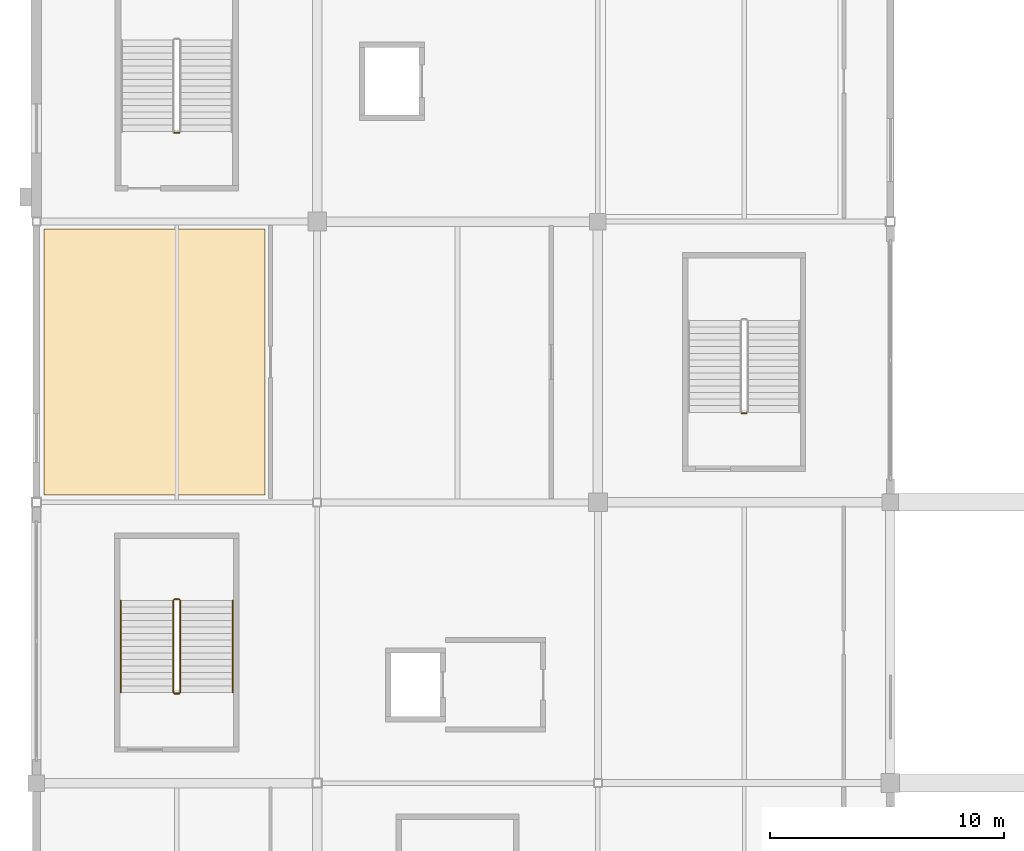
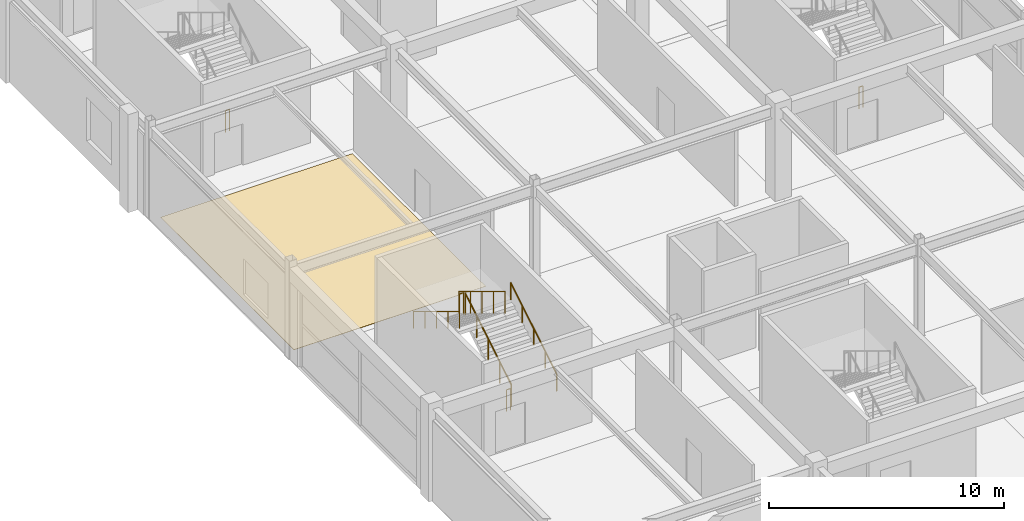
# One storey, part 112 of 128: 8 railings, 1 covering.
"""IFC4 building model written with IfcOpenShell, lengths in metres."""

from ifc_helpers import new_model, si_unit, direction, frame, origin, origin_2d, place, context, subcontext, project, spatial, polyline, circle, outline, extrude, material, layer, layer_set, type_object, element, save


model = new_model("IFC4")

# Units and contexts
model_context = context("Model", 3, precision=1e-05, world=origin(), true_north=direction((0.0, 1.0)))
body_context = subcontext(model_context, "Body", "Model", "MODEL_VIEW")
ifc_project = project(units=[si_unit("LENGTHUNIT", "METRE"), si_unit("AREAUNIT", "SQUARE_METRE"), si_unit("VOLUMEUNIT", "CUBIC_METRE"), si_unit("PLANEANGLEUNIT", "RADIAN"), si_unit("MASSUNIT", "GRAM", prefix="KILO")], contexts=[model_context])

# Site, building, storey
site_placement = place(None, origin())
site = spatial("IfcSite", under=ifc_project, at=site_placement, CompositionType="ELEMENT")
building_placement = place(site_placement, origin())
building = spatial("IfcBuilding", under=site, at=building_placement, Name="Kazenohara Klinker Stadium", CompositionType="ELEMENT")
storey_placement = place(building_placement, frame((0.0, 0.0, 15.300048828125)))
storey = spatial("IfcBuildingStorey", under=building, at=storey_placement, Name="L03", CompositionType="ELEMENT", Elevation=15.300048828125)

# Covering
ifc_material_1 = material(Name="Cushioned EPDM sports rubber flooring", Category="rubber")
ifc_layer_1 = layer(ifc_material_1, 0.014892578125)
ifc_layer_set_1 = layer_set([ifc_layer_1], Name="Cushioned EPDM sports rubber flooring")
covering_type = type_object("IfcCoveringType", Name="COV-FLR-02", PredefinedType="FLOORING", material=ifc_layer_set_1)
covering_placement = place(storey_placement, origin())
element("IfcCovering", 1, at=covering_placement, inside=storey, type_object=covering_type, Name="Interior floor finish FL02 Concourse Cold-Climate Hospitality Lounge L03-0010A", PredefinedType="FLOORING", context=body_context, shape_type="SweptSolid", body=[
    extrude(outline(polyline([(0.330078125, 120.31005859375), (9.77001953125, 120.31005859375), (9.77001953125, 131.68994140625), (0.330078125, 131.68994140625), (0.330078125, 120.31005859375)])), origin(), (0.0, 0.0, 1.0), 0.014892578125),
])

# Railings
ifc_material_2 = material(Name="Brushed stainless steel 304 handrail", Category="steel")
ifc_layer_2 = layer(ifc_material_2, 0.050048828125)
ifc_layer_set_2 = layer_set([ifc_layer_2], Name="Brushed stainless steel 304 handrail")
railing_type_1 = type_object("IfcRailingType", Name="RL-HND-900", PredefinedType="HANDRAIL", material=ifc_layer_set_2)
railing_1_placement = place(storey_placement, frame((8.389892578125, 111.8798828125, 0.169921875)))
element("IfcRailing", 2, at=railing_1_placement, inside=storey, type_object=railing_type_1, Name="L03 ST04 stair handrail 1", PredefinedType="HANDRAIL", context=body_context, shape_type="SweptSolid", body=[
    extrude(circle(Radius=0.02392578125, at=origin_2d()), frame((0.0, 0.0, 0.8759765625), z_axis=(0.0, 0.854784984964, 0.518982301701), x_axis=(-1.0, 0.0, 0.0)), (0.0, 0.0, 1.0), 4.586181640625),
    extrude(circle(Radius=0.02099609375, at=origin_2d()), origin(), (0.0, 0.0, 1.0), 0.851806640625),
    extrude(circle(Radius=0.02099609375, at=origin_2d()), frame((0.0, 0.97998046875, 0.594970703125)), (0.0, 0.0, 1.0), 0.851806640625),
    extrude(circle(Radius=0.02099609375, at=origin_2d()), frame((0.0, 1.9599609375, 1.18994140625)), (0.0, 0.0, 1.0), 0.851806640625),
    extrude(circle(Radius=0.02099609375, at=origin_2d()), frame((0.0, 2.940185546875, 1.78515625)), (0.0, 0.0, 1.0), 0.851806640625),
    extrude(circle(Radius=0.02099609375, at=origin_2d()), frame((0.0, 3.920166015625, 2.380126953125)), (0.0, 0.0, 1.0), 0.851806640625),
])
railing_2_placement = place(storey_placement, frame((3.610107421875, 115.800048828125, 2.719970703125)))
element("IfcRailing", 3, at=railing_2_placement, inside=storey, type_object=railing_type_1, Name="L03 ST04 stair handrail 2", PredefinedType="HANDRAIL", context=body_context, shape_type="SweptSolid", body=[
    extrude(circle(Radius=0.02392578125, at=origin_2d()), frame((0.0, 0.0, 0.8759765625), z_axis=(0.0, -0.854808600491, 0.518943403973), x_axis=(1.0, 0.0, 0.0)), (0.0, 0.0, 1.0), 4.5859375),
    extrude(circle(Radius=0.02099609375, at=origin_2d()), origin(), (0.0, 0.0, 1.0), 0.851806640625),
    extrude(circle(Radius=0.02099609375, at=origin_2d()), frame((0.0, -0.97998046875, 0.594970703125)), (0.0, 0.0, 1.0), 0.851806640625),
    extrude(circle(Radius=0.02099609375, at=origin_2d()), frame((0.0, -1.9599609375, 1.18994140625)), (0.0, 0.0, 1.0), 0.851806640625),
    extrude(circle(Radius=0.02099609375, at=origin_2d()), frame((0.0, -2.940185546875, 1.784912109375)), (0.0, 0.0, 1.0), 0.851806640625),
    extrude(circle(Radius=0.02099609375, at=origin_2d()), frame((0.0, -3.920166015625, 2.3798828125)), (0.0, 0.0, 1.0), 0.851806640625),
])
ifc_material_3 = material(Name="Painted steel stairwell guardrail", Category="steel")
ifc_layer_3 = layer(ifc_material_3, 0.06005859375)
ifc_layer_set_3 = layer_set([ifc_layer_3], Name="Painted steel stairwell guardrail")
railing_type_2 = type_object("IfcRailingType", Name="RL-STG-1120", PredefinedType="GUARDRAIL", material=ifc_layer_set_3)
railing_3_placement = place(storey_placement, frame((6.14990234375, 111.8798828125, 0.169921875)))
element("IfcRailing", 4, at=railing_3_placement, inside=storey, type_object=railing_type_2, Name="L03 ST04 stair guard 1", PredefinedType="GUARDRAIL", context=body_context, shape_type="SweptSolid", body=[
    extrude(circle(Radius=0.02392578125, at=origin_2d()), frame((0.0, 0.0, 1.1259765625), z_axis=(0.0, 0.854784984964, 0.518982301701), x_axis=(-1.0, 0.0, 0.0)), (0.0, 0.0, 1.0), 4.586181640625),
    extrude(circle(Radius=0.02099609375, at=origin_2d()), origin(), (0.0, 0.0, 1.0), 1.101806640625),
    extrude(circle(Radius=0.02099609375, at=origin_2d()), frame((0.0, 0.97998046875, 0.594970703125)), (0.0, 0.0, 1.0), 1.101806640625),
    extrude(circle(Radius=0.02099609375, at=origin_2d()), frame((0.0, 1.9599609375, 1.18994140625)), (0.0, 0.0, 1.0), 1.101806640625),
    extrude(circle(Radius=0.02099609375, at=origin_2d()), frame((0.0, 2.940185546875, 1.78515625)), (0.0, 0.0, 1.0), 1.101806640625),
    extrude(circle(Radius=0.02099609375, at=origin_2d()), frame((0.0, 3.920166015625, 2.380126953125)), (0.0, 0.0, 1.0), 1.101806640625),
])
railing_4_placement = place(storey_placement, frame((6.10009765625, 115.85009765625, 2.550048828125)))
element("IfcRailing", 5, at=railing_4_placement, inside=storey, type_object=railing_type_2, Name="L03 ST04 stair guard 2", PredefinedType="GUARDRAIL", context=body_context, shape_type="SweptSolid", body=[
    extrude(circle(Radius=0.02392578125, at=origin_2d()), frame((0.0, 0.0, 1.1259765625), z_axis=(-1.0, 0.0, 0.0), x_axis=(0.0, -1.0, 0.0)), (0.0, 0.0, 1.0), 0.2001953125),
    extrude(circle(Radius=0.02099609375, at=origin_2d()), origin(), (0.0, 0.0, 1.0), 1.101806640625),
    extrude(circle(Radius=0.02099609375, at=origin_2d()), frame((-0.2001953125, 0.0, 0.0)), (0.0, 0.0, 1.0), 1.101806640625),
])
railing_5_placement = place(storey_placement, frame((5.85009765625, 115.800048828125, 2.719970703125)))
element("IfcRailing", 6, at=railing_5_placement, inside=storey, type_object=railing_type_2, Name="L03 ST04 stair guard 3", PredefinedType="GUARDRAIL", context=body_context, shape_type="SweptSolid", body=[
    extrude(circle(Radius=0.02392578125, at=origin_2d()), frame((0.0, 0.0, 1.1259765625), z_axis=(0.0, -0.854808600491, 0.518943403973), x_axis=(1.0, 0.0, 0.0)), (0.0, 0.0, 1.0), 4.5859375),
    extrude(circle(Radius=0.02099609375, at=origin_2d()), origin(), (0.0, 0.0, 1.0), 1.101806640625),
    extrude(circle(Radius=0.02099609375, at=origin_2d()), frame((0.0, -0.97998046875, 0.594970703125)), (0.0, 0.0, 1.0), 1.101806640625),
    extrude(circle(Radius=0.02099609375, at=origin_2d()), frame((0.0, -1.9599609375, 1.18994140625)), (0.0, 0.0, 1.0), 1.101806640625),
    extrude(circle(Radius=0.02099609375, at=origin_2d()), frame((0.0, -2.940185546875, 1.784912109375)), (0.0, 0.0, 1.0), 1.101806640625),
    extrude(circle(Radius=0.02099609375, at=origin_2d()), frame((0.0, -3.920166015625, 2.3798828125)), (0.0, 0.0, 1.0), 1.101806640625),
])
for number, where, name in (
    (7, (6.10009765625, 111.830078125, 0.0), "L03 ST04 stair guard 4"),
    (8, (6.10009765625, 135.7900390625, 0.0), "L03 ST05 stair guard 4"),
    (9, (30.35009765625, 123.800048828125, 0.0), "L03 ST18 stair guard 4"),
):
    element("IfcRailing", number, at=place(storey_placement, frame(where)), inside=storey, type_object=railing_type_2, Name=name, PredefinedType="GUARDRAIL", context=body_context, shape_type="SweptSolid", body=[
        extrude(circle(Radius=0.02392578125, at=origin_2d()), frame((0.0, 0.0, 1.1259765625), z_axis=(-1.0, 0.0, 0.0), x_axis=(0.0, -1.0, 0.0)), (0.0, 0.0, 1.0), 0.2001953125),
        extrude(circle(Radius=0.02099609375, at=origin_2d()), origin(), (0.0, 0.0, 1.0), 1.101806640625),
        extrude(circle(Radius=0.02099609375, at=origin_2d()), frame((-0.2001953125, 0.0, 0.0)), (0.0, 0.0, 1.0), 1.101806640625),
    ])

save(model, "model.ifc")
